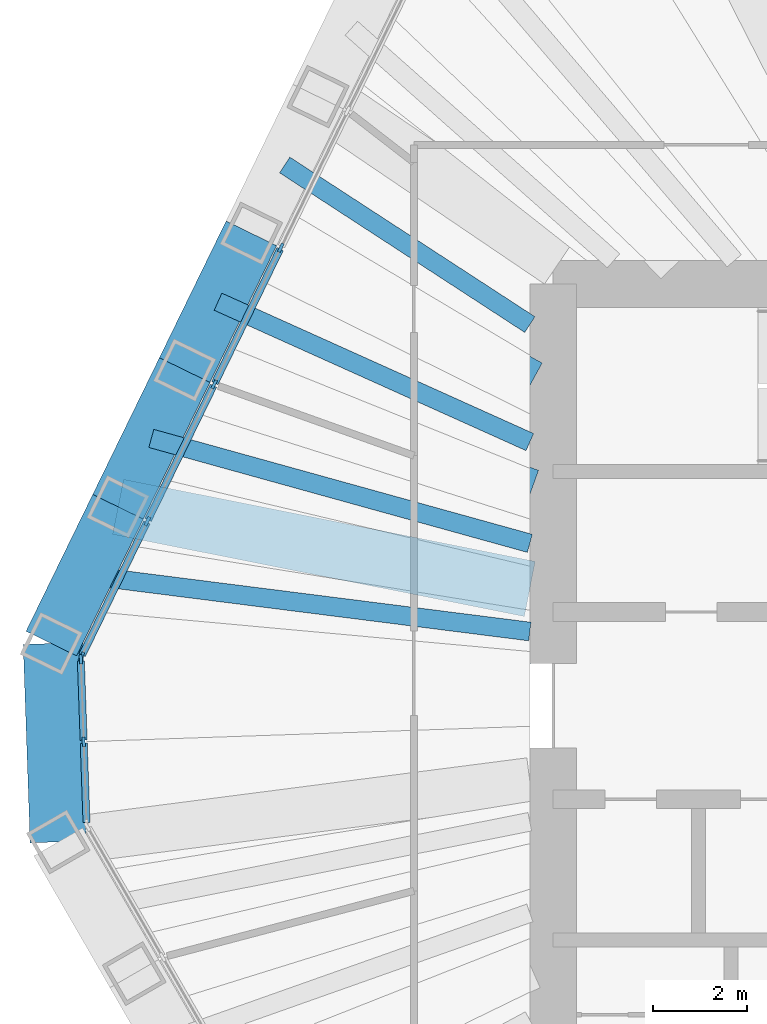
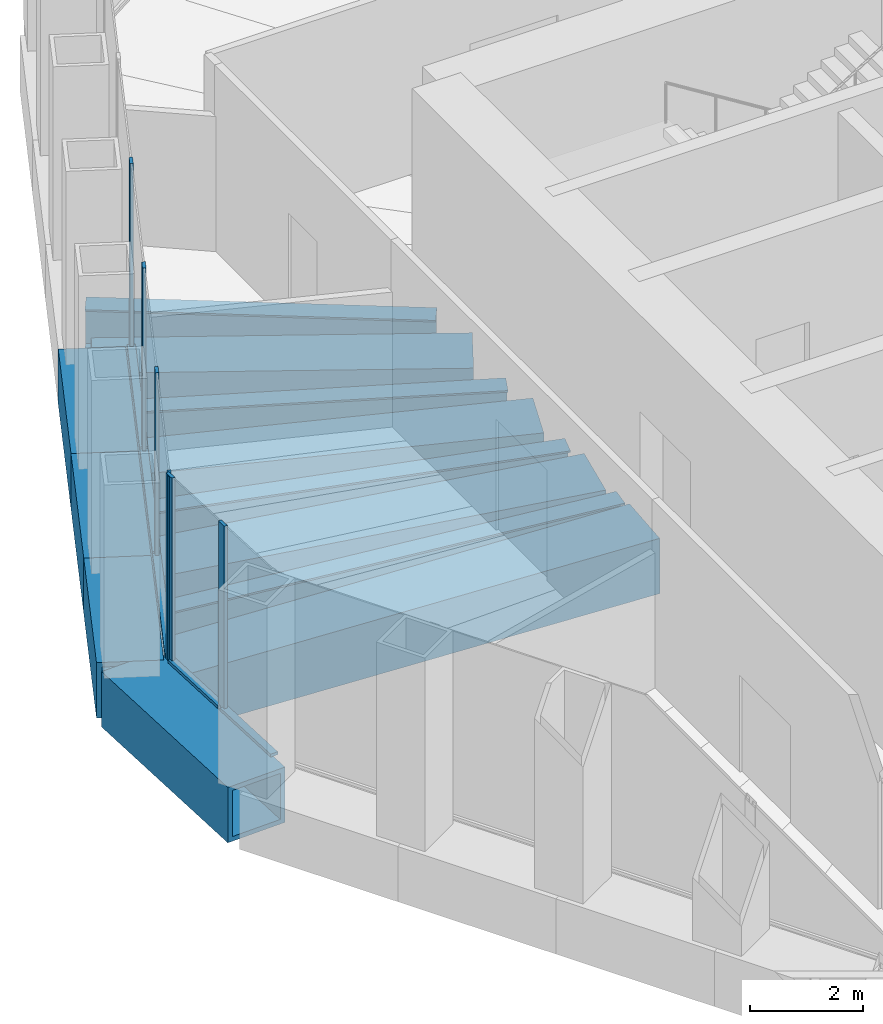
# One storey, part 4 of 19: 15 members, 8 beams, 2 elements without a shape of their own.
"""IFC4 building model written with IfcOpenShell, lengths in metres."""

import ifcopenshell
import ifcopenshell.guid

model = None  # the IFC model being written
_history = None  # IfcOwnerHistory: only IFC2X3 demands one
_inside = {}  # id of a spatial element -> (the spatial element, [elements in it])
_under = {}  # id of a project, library or spatial element -> (it, [spatial elements below it])
_declared = {}  # id of a project -> (the project, [libraries it declares])
_typed = {}  # id of a type object -> (the type object, [elements of that type])
_made_of = {}  # id of a material, layer set ... -> (it, [elements and type objects made of it])


def new_model(schema):
    """Start an empty IFC model of exactly this schema.

    Asked for "IFC4X3", IfcOpenShell would pick the latest addendum, in which some entities
    have other attributes; the version numbers below select the first issue.
    IFC2X3 requires an IfcOwnerHistory on every rooted entity: one is made here for all.
    """
    global model, _history
    if schema == "IFC4X3":
        model = ifcopenshell.file(schema_version=(4, 3, 0, 0))
    else:
        model = ifcopenshell.file(schema=schema)
    _inside.clear()
    _under.clear()
    _declared.clear()
    _typed.clear()
    _made_of.clear()
    _history = None
    if model.schema == "IFC2X3":
        org = make("IfcOrganization", Name="unknown")
        user = make(
            "IfcPersonAndOrganization",
            ThePerson=make("IfcPerson", FamilyName="unknown"),
            TheOrganization=org,
        )
        app = make(
            "IfcApplication",
            ApplicationDeveloper=org,
            Version="unknown",
            ApplicationFullName="unknown",
            ApplicationIdentifier="unknown",
        )
        _history = make(
            "IfcOwnerHistory",
            OwningUser=user,
            OwningApplication=app,
            ChangeAction="ADDED",
            CreationDate=0,
        )
    return model


def make(cls, **values):
    """One entity of the class cls with the attributes given. An attribute that is None is left unset."""
    return model.create_entity(
        cls, **{name: value for name, value in values.items() if value is not None}
    )


def rooted(cls, **values):
    """An entity with a GlobalId (a new one), such as an element, a storey or a relation."""
    return make(cls, GlobalId=ifcopenshell.guid.new(), OwnerHistory=_history, **values)


def si_unit(unit_type, name, prefix=None):
    """IfcSIUnit, for example si_unit("LENGTHUNIT", "METRE", prefix="MILLI")."""
    return make("IfcSIUnit", UnitType=unit_type, Prefix=prefix, Name=name)


def assignment(units):
    """IfcUnitAssignment: the units of a project."""
    return None if units is None else make("IfcUnitAssignment", Units=units)


def point(xyz):
    """IfcCartesianPoint."""
    return None if xyz is None else make("IfcCartesianPoint", Coordinates=xyz)


def direction(xyz):
    """IfcDirection."""
    return None if xyz is None else make("IfcDirection", DirectionRatios=xyz)


def frame(location, z_axis=None, x_axis=None):
    """IfcAxis2Placement3D, a coordinate frame: its origin and axes. An axis left out is left unset."""
    return make(
        "IfcAxis2Placement3D",
        Location=point(location),
        Axis=direction(z_axis),
        RefDirection=direction(x_axis),
    )


def frame_2d(location, x_axis=None):
    """IfcAxis2Placement2D, a coordinate frame in the plane: its origin and x axis."""
    return make(
        "IfcAxis2Placement2D", Location=point(location), RefDirection=direction(x_axis)
    )


def origin():
    """The frame at (0, 0, 0) with its axes left unset."""
    return frame((0.0, 0.0, 0.0))


def origin_2d():
    """The frame at (0, 0) in the plane with its x axis left unset."""
    return frame_2d((0.0, 0.0))


def place(relative_to, where):
    """IfcLocalPlacement: puts the frame where relative to a parent placement (None: the world)."""
    return make(
        "IfcLocalPlacement", PlacementRelTo=relative_to, RelativePlacement=where
    )


def context(
    kind, dimensions, precision=None, world=None, true_north=None, identifier=None
):
    """IfcGeometricRepresentationContext, for example the 3D "Model" context."""
    return make(
        "IfcGeometricRepresentationContext",
        ContextIdentifier=identifier,
        ContextType=kind,
        CoordinateSpaceDimension=dimensions,
        Precision=precision,
        WorldCoordinateSystem=world,
        TrueNorth=true_north,
    )


def subcontext(parent, identifier, kind, view, scale=None):
    """IfcGeometricRepresentationSubContext, for example "Body" below "Model"."""
    return make(
        "IfcGeometricRepresentationSubContext",
        ContextIdentifier=identifier,
        ContextType=kind,
        ParentContext=parent,
        TargetScale=scale,
        TargetView=view,
    )


def project(units=None, contexts=None):
    """IfcProject with its units and contexts."""
    return rooted(
        "IfcProject",
        Name="project",
        RepresentationContexts=contexts,
        UnitsInContext=assignment(units),
    )


def spatial(cls, under=None, at=None, **own):
    """A site, building, storey or space (cls), placed at a placement, below another one or the project."""
    s = rooted(cls, ObjectPlacement=at, **own)
    if under is not None:
        _under.setdefault(under.id(), (under, []))[1].append(s)
    return s


def profile(cls, at=None, kind="AREA", **sizes):
    """A parametric profile (cls). Its sizes go by their IFC names, for example OverallWidth=200.0."""
    return make(cls, ProfileType=kind, Position=at, **sizes)


def rectangle(**sizes):
    """IfcRectangleProfileDef."""
    return profile("IfcRectangleProfileDef", **sizes)


def hollow_rectangle(**sizes):
    """IfcRectangleHollowProfileDef."""
    return profile("IfcRectangleHollowProfileDef", **sizes)


def i_section(**sizes):
    """IfcIShapeProfileDef."""
    return profile("IfcIShapeProfileDef", **sizes)


def extrude(swept, where, along, depth):
    """IfcExtrudedAreaSolid: the profile swept, set in the frame where, extruded along a direction by depth."""
    return make(
        "IfcExtrudedAreaSolid",
        SweptArea=swept,
        Position=where,
        ExtrudedDirection=direction(along),
        Depth=depth,
    )


def shape(context_of_items, identifier, shape_type, items):
    """IfcShapeRepresentation: the items that make up one representation, for example the "Body"."""
    return make(
        "IfcShapeRepresentation",
        ContextOfItems=context_of_items,
        RepresentationIdentifier=identifier,
        RepresentationType=shape_type,
        Items=items,
    )


def material(Name=None, Category=None):
    """IfcMaterial."""
    return make("IfcMaterial", Name=Name, Category=Category)


def material_profile(
    of_material, cross_section, Name=None, Category=None, Priority=None
):
    """IfcMaterialProfile: a cross section and its material."""
    return make(
        "IfcMaterialProfile",
        Name=Name,
        Material=of_material,
        Profile=cross_section,
        Priority=Priority,
        Category=Category,
    )


def profile_set(profiles, Name=None, composite=None):
    """IfcMaterialProfileSet."""
    return make(
        "IfcMaterialProfileSet",
        Name=Name,
        MaterialProfiles=profiles,
        CompositeProfile=composite,
    )


def made_of(thing, what):
    """Note that an element or type object is made of a material, layer set ...; save() writes the relation."""
    if what is not None:
        _made_of.setdefault(what.id(), (what, []))[1].append(thing)
    return thing


def type_object(cls, material=None, **own):
    """A type object (cls), such as IfcWallType, which elements share."""
    return made_of(rooted(cls, **own), material)


def element(
    cls,
    number,
    at=None,
    inside=None,
    cuts=None,
    type_object=None,
    material=None,
    context=None,
    identifier="Body",
    shape_type=None,
    held_by="IfcProductDefinitionShape",
    body=None,
    shapes=None,
    **own,
):
    """One element of the class cls, such as IfcWall. Its Tag is "e" and its number.

    at: its placement. inside: the storey or other place that contains it. cuts: it is an
    opening in that element (IfcRelVoidsElement). A single representation is given by context,
    identifier, shape_type and body (its items); several are given by shapes. held_by: the class
    of the entity that holds the representations. save() writes the other relations.
    """
    e = rooted(cls, Tag="e%d" % number, ObjectPlacement=at, **own)
    if body is not None:
        shapes = [shape(context, identifier, shape_type, body)]
    if shapes is not None:
        e.Representation = make(held_by, Representations=shapes)
    if inside is not None:
        _inside.setdefault(inside.id(), (inside, []))[1].append(e)
    if cuts is not None:
        rooted(
            "IfcRelVoidsElement", RelatingBuildingElement=cuts, RelatedOpeningElement=e
        )
    if type_object is not None:
        _typed.setdefault(type_object.id(), (type_object, []))[1].append(e)
    return made_of(e, material)


def aggregate(whole, parts):
    """IfcRelAggregates: a whole, such as a stair, and the parts it consists of."""
    return rooted("IfcRelAggregates", RelatingObject=whole, RelatedObjects=parts)


def save(model, path):
    """Write the relations noted so far, then the file.

    IfcRelAggregates (storeys below a building ...), IfcRelContainedInSpatialStructure (elements
    in a storey), IfcRelDefinesByType, IfcRelAssociatesMaterial and IfcRelDeclares: one each for
    every whole, place, type object, material and project.
    """
    for whole, parts in _under.values():
        aggregate(whole, parts)
    for where, things in _inside.values():
        rooted(
            "IfcRelContainedInSpatialStructure",
            RelatedElements=things,
            RelatingStructure=where,
        )
    for kind, things in _typed.values():
        rooted("IfcRelDefinesByType", RelatedObjects=things, RelatingType=kind)
    for what, things in _made_of.values():
        rooted("IfcRelAssociatesMaterial", RelatedObjects=things, RelatingMaterial=what)
    for by, libraries in _declared.values():
        rooted("IfcRelDeclares", RelatingContext=by, RelatedDefinitions=libraries)
    model.write(path)


model = new_model("IFC4")

# Units and contexts
model_context = context("Model", 3, precision=1e-05, world=origin(), true_north=direction((0.0, 1.0)))
body_context = subcontext(model_context, "Body", "Model", "MODEL_VIEW")
ifc_project = project(units=[si_unit("LENGTHUNIT", "METRE"), si_unit("AREAUNIT", "SQUARE_METRE"), si_unit("VOLUMEUNIT", "CUBIC_METRE"), si_unit("PLANEANGLEUNIT", "RADIAN"), si_unit("MASSUNIT", "GRAM", prefix="KILO")], contexts=[model_context])

# Site, building, storey
site_placement = place(None, origin())
site = spatial("IfcSite", under=ifc_project, at=site_placement, CompositionType="ELEMENT")
building_placement = place(site_placement, origin())
building = spatial("IfcBuilding", under=site, at=building_placement, Name="Qingtian Harvest Tower", CompositionType="ELEMENT")
storey_placement = place(building_placement, frame((0.0, 0.0, 262.0)))
storey = spatial("IfcBuildingStorey", under=building, at=storey_placement, Name="L57", CompositionType="ELEMENT", Elevation=262.0)

# Members
ifc_material_1 = material(Name="Steel SM570MC", Category="steel")
ifc_material_profile_1 = material_profile(ifc_material_1, hollow_rectangle(XDim=1.199951171875, YDim=1.199951171875, WallThickness=0.10009765625, at=origin_2d()), Name="BOX1200x1200x100")
ifc_profile_set_1 = profile_set([ifc_material_profile_1], Name="Steel SM570MC")
member_type_1 = type_object("IfcMemberType", Name="Belt truss chord BC3 BOX1200x1200x100", PredefinedType="CHORD", material=ifc_profile_set_1)
member_1_placement = place(storey_placement, frame((-22.569580078125, -2.908447265625, -0.60009765625), z_axis=(-0.034851142499, 0.999392514414, 0.0), x_axis=(-0.999392514414, -0.034851142499, 0.0)))
element("IfcMember", 1, at=member_1_placement, inside=storey, type_object=member_type_1, Name="Belt chord BC3 SWC", PredefinedType="CHORD", context=body_context, shape_type="SweptSolid", body=[
    extrude(hollow_rectangle(XDim=1.199951171875, YDim=1.199951171875, WallThickness=0.10009765625, at=origin_2d()), origin(), (0.0, 0.0, 1.0), 4.23828125),
])
member_2_placement = place(storey_placement, frame((-22.71728515625, 1.3271484375, -0.60009765625), z_axis=(0.438382164311, 0.898788672611, 0.0), x_axis=(-0.898788672611, 0.438382164311, 0.0)))
element("IfcMember", 2, at=member_2_placement, inside=storey, type_object=member_type_1, Name="Belt chord BC3 NW0", PredefinedType="CHORD", context=body_context, shape_type="SweptSolid", body=[
    extrude(hollow_rectangle(XDim=1.199951171875, YDim=1.199951171875, WallThickness=0.10009765625, at=origin_2d()), origin(), (0.0, 0.0, 1.0), 3.247802734375),
])
member_3_placement = place(storey_placement, frame((-21.29345703125, 4.246337890625, -0.60009765625), z_axis=(0.438352548749, 0.898803116931, 0.0), x_axis=(-0.898803116931, 0.438352548749, 0.0)))
element("IfcMember", 3, at=member_3_placement, inside=storey, type_object=member_type_1, Name="Belt chord BC3 NW1", PredefinedType="CHORD", context=body_context, shape_type="SweptSolid", body=[
    extrude(hollow_rectangle(XDim=1.199951171875, YDim=1.199951171875, WallThickness=0.10009765625, at=origin_2d()), origin(), (0.0, 0.0, 1.0), 3.248046875),
])
member_4_placement = place(storey_placement, frame((-19.86962890625, 7.165771484375, -0.60009765625), z_axis=(0.438382164311, 0.898788672611, 0.0), x_axis=(-0.898788672611, 0.438382164311, 0.0)))
element("IfcMember", 4, at=member_4_placement, inside=storey, type_object=member_type_1, Name="Belt chord BC3 NW2", PredefinedType="CHORD", context=body_context, shape_type="SweptSolid", body=[
    extrude(hollow_rectangle(XDim=1.199951171875, YDim=1.199951171875, WallThickness=0.10009765625, at=origin_2d()), origin(), (0.0, 0.0, 1.0), 3.247802734375),
])

# Beams
ifc_material_2 = material(Name="Steel SN490B", Category="steel")
ifc_material_profile_2 = material_profile(ifc_material_2, i_section(OverallWidth=0.39990234375, OverallDepth=0.89990234375, WebThickness=0.01904296875, FlangeThickness=0.035888671875, at=origin_2d()), Name="H900x400x19x36")
ifc_profile_set_2 = profile_set([ifc_material_profile_2], Name="Steel SN490B")
beam_type_1 = type_object("IfcBeamType", Name="Floor joist J4 H900x400x19x36", PredefinedType="JOIST", material=ifc_profile_set_2)
beam_1_placement = place(storey_placement, frame((-22.00537109375, 2.78662109375, -0.6201171875), z_axis=(0.992078247837, -0.125621455844, 0.0), x_axis=(0.125621455844, 0.992078247837, 0.0)))
element("IfcBeam", 5, at=beam_1_placement, inside=storey, type_object=beam_type_1, Name="Floor joist J4 NW0", PredefinedType="JOIST", context=body_context, shape_type="SweptSolid", body=[
    extrude(i_section(OverallWidth=0.39990234375, OverallDepth=0.89990234375, WebThickness=0.01904296875, FlangeThickness=0.035888671875, at=origin_2d()), origin(), (0.0, 0.0, 1.0), 9.581298828125),
])
beam_2_placement = place(storey_placement, frame((-20.58154296875, 5.7060546875, -0.6201171875), z_axis=(0.963652918134, -0.267157356949, 0.0), x_axis=(0.267157356949, 0.963652918134, 0.0)))
element("IfcBeam", 6, at=beam_2_placement, inside=storey, type_object=beam_type_1, Name="Floor joist J4 NW1", PredefinedType="JOIST", context=body_context, shape_type="SweptSolid", body=[
    extrude(i_section(OverallWidth=0.39990234375, OverallDepth=0.89990234375, WebThickness=0.01904296875, FlangeThickness=0.035888671875, at=origin_2d()), origin(), (0.0, 0.0, 1.0), 8.386474609375),
])
beam_3_placement = place(storey_placement, frame((-19.15771484375, 8.625244140625, -0.6201171875), z_axis=(0.911852669976, -0.410517610168, 0.0), x_axis=(0.410517610168, 0.911852669976, 0.0)))
element("IfcBeam", 7, at=beam_3_placement, inside=storey, type_object=beam_type_1, Name="Floor joist J4 NW2", PredefinedType="JOIST", context=body_context, shape_type="SweptSolid", body=[
    extrude(i_section(OverallWidth=0.39990234375, OverallDepth=0.89990234375, WebThickness=0.01904296875, FlangeThickness=0.035888671875, at=origin_2d()), origin(), (0.0, 0.0, 1.0), 7.30126953125),
])
beam_4_placement = place(storey_placement, frame((-17.73388671875, 11.544677734375, -0.6201171875), z_axis=(0.838062930903, -0.545573573266, 0.0), x_axis=(0.545573573266, 0.838062930903, 0.0)))
element("IfcBeam", 8, at=beam_4_placement, inside=storey, type_object=beam_type_1, Name="Floor joist J4 NW3", PredefinedType="JOIST", context=body_context, shape_type="SweptSolid", body=[
    extrude(i_section(OverallWidth=0.39990234375, OverallDepth=0.89990234375, WebThickness=0.01904296875, FlangeThickness=0.035888671875, at=origin_2d()), origin(), (0.0, 0.0, 1.0), 6.2451171875),
])

# Curtain wall, members
ifc_material_3 = material(Name="Bronze-anodised aluminium curtain wall", Category="aluminium")
curtain_wall_type = type_object("IfcCurtainWallType", Name="Curtain wall CW3 sky lobby", PredefinedType="USERDEFINED", material=ifc_material_3)
curtain_wall_1_placement = place(storey_placement, origin())
curtain_wall_1 = element("IfcCurtainWall", 9, at=curtain_wall_1_placement, inside=storey, type_object=curtain_wall_type, Name="Curtain wall CW3 L57 SWC", ObjectType="RECESSED CURTAIN WALL", PredefinedType="USERDEFINED")
ifc_material_4 = material(Name="Bronze-anodised aluminium mullion", Category="aluminium")
ifc_material_profile_3 = material_profile(ifc_material_4, rectangle(XDim=0.06494140625, YDim=0.199951171875, at=origin_2d()), Name="AL 65x200")
ifc_profile_set_3 = profile_set([ifc_material_profile_3], Name="Bronze-anodised aluminium mullion")
member_type_2 = type_object("IfcMemberType", Name="Mullion CWM 65x200", PredefinedType="MULLION", material=ifc_profile_set_3)
member_5_placement = place(storey_placement, frame((-22.025634765625, -0.76904296875, 0.0), z_axis=(0.0, 0.0, 1.0), x_axis=(-0.999390827019, -0.034899496703, 0.0)))
member_5 = element("IfcMember", 10, at=member_5_placement, type_object=member_type_2, Name="CW3 mullion 2", PredefinedType="MULLION", context=body_context, shape_type="SweptSolid", body=[
    extrude(rectangle(XDim=0.06494140625, YDim=0.199951171875, at=origin_2d()), origin(), (0.0, 0.0, 1.0), 4.030029296875),
])
member_6_placement = place(storey_placement, frame((-22.087158203125, 0.98779296875, 0.0), z_axis=(0.0, 0.0, 1.0), x_axis=(-0.999390827019, -0.034899496703, 0.0)))
member_6 = element("IfcMember", 11, at=member_6_placement, type_object=member_type_2, Name="CW3 mullion 3", PredefinedType="MULLION", context=body_context, shape_type="SweptSolid", body=[
    extrude(rectangle(XDim=0.06494140625, YDim=0.199951171875, at=origin_2d()), origin(), (0.0, 0.0, 1.0), 4.030029296875),
])

curtain_wall_2_placement = place(storey_placement, origin())
curtain_wall_2 = element("IfcCurtainWall", 12, at=curtain_wall_2_placement, inside=storey, type_object=curtain_wall_type, Name="Curtain wall CW3 L57 NW0-5", ObjectType="RECESSED CURTAIN WALL", PredefinedType="USERDEFINED")
member_7_placement = place(storey_placement, frame((-22.073974609375, 1.04931640625, 0.0), z_axis=(0.0, 0.0, 1.0), x_axis=(-0.898794046299, 0.438371146789, 0.0)))
member_7 = element("IfcMember", 13, at=member_7_placement, type_object=member_type_2, Name="CW3 mullion 1", PredefinedType="MULLION", context=body_context, shape_type="SweptSolid", body=[
    extrude(rectangle(XDim=0.06494140625, YDim=0.199951171875, at=origin_2d()), origin(), (0.0, 0.0, 1.0), 4.030029296875),
])
member_8_placement = place(storey_placement, frame((-20.664306640625, 3.939453125, 0.0), z_axis=(0.0, 0.0, 1.0), x_axis=(-0.898794046299, 0.438371146789, 0.0)))
member_8 = element("IfcMember", 14, at=member_8_placement, type_object=member_type_2, Name="CW3 mullion 2", PredefinedType="MULLION", context=body_context, shape_type="SweptSolid", body=[
    extrude(rectangle(XDim=0.06494140625, YDim=0.199951171875, at=origin_2d()), origin(), (0.0, 0.0, 1.0), 4.030029296875),
])
member_9_placement = place(storey_placement, frame((-19.240478515625, 6.85888671875, 0.0), z_axis=(0.0, 0.0, 1.0), x_axis=(-0.898794046299, 0.438371146789, 0.0)))
member_9 = element("IfcMember", 15, at=member_9_placement, type_object=member_type_2, Name="CW3 mullion 3", PredefinedType="MULLION", context=body_context, shape_type="SweptSolid", body=[
    extrude(rectangle(XDim=0.06494140625, YDim=0.199951171875, at=origin_2d()), origin(), (0.0, 0.0, 1.0), 4.030029296875),
])
member_10_placement = place(storey_placement, frame((-17.816650390625, 9.778076171875, 0.0), z_axis=(0.0, 0.0, 1.0), x_axis=(-0.898794046299, 0.438371146789, 0.0)))
member_10 = element("IfcMember", 16, at=member_10_placement, type_object=member_type_2, Name="CW3 mullion 4", PredefinedType="MULLION", context=body_context, shape_type="SweptSolid", body=[
    extrude(rectangle(XDim=0.06494140625, YDim=0.199951171875, at=origin_2d()), origin(), (0.0, 0.0, 1.0), 4.030029296875),
])

# Beams
ifc_material_5 = material(Name="Steel SM570MC", Category="steel")
ifc_material_profile_4 = material_profile(ifc_material_5, hollow_rectangle(XDim=1.199951171875, YDim=1.199951171875, WallThickness=0.10009765625, at=origin_2d()), Name="BOX1200x1200x100")
ifc_profile_set_4 = profile_set([ifc_material_profile_4], Name="Steel SM570MC")
beam_type_2 = type_object("IfcBeamType", Name="Outrigger chord beam OC2 BOX1200x1200x100", PredefinedType="BEAM", material=ifc_profile_set_4)
beam_5_placement = place(storey_placement, frame((-22.71728515625, 1.3271484375, -0.77001953125), z_axis=(0.998297736533, -0.058323487833, 0.0), x_axis=(0.058323487833, 0.998297736533, 0.0)))
element("IfcBeam", 17, at=beam_5_placement, inside=storey, type_object=beam_type_2, Name="Floor beam OC2 NW0", PredefinedType="BEAM", context=body_context, shape_type="SweptSolid", body=[
    extrude(hollow_rectangle(XDim=1.199951171875, YDim=1.199951171875, WallThickness=0.10009765625, at=origin_2d()), origin(), (0.0, 0.0, 1.0), 10.234619140625),
])
beam_6_placement = place(storey_placement, frame((-21.29345703125, 4.246337890625, -0.77001953125), z_axis=(0.980688391079, -0.195576786971, 0.0), x_axis=(0.195576786971, 0.980688391079, 0.0)))
element("IfcBeam", 18, at=beam_6_placement, inside=storey, type_object=beam_type_2, Name="Floor beam OC2 NW1", PredefinedType="BEAM", context=body_context, shape_type="SweptSolid", body=[
    extrude(hollow_rectangle(XDim=1.199951171875, YDim=1.199951171875, WallThickness=0.10009765625, at=origin_2d()), origin(), (0.0, 0.0, 1.0), 8.966552734375),
])
ifc_material_6 = material(Name="Steel SM570MC", Category="steel")
ifc_material_profile_5 = material_profile(ifc_material_6, hollow_rectangle(XDim=1.10009765625, YDim=1.10009765625, WallThickness=0.10009765625, at=origin_2d()), Name="BOX1100x1100x100")
ifc_profile_set_5 = profile_set([ifc_material_profile_5], Name="Steel SM570MC")
beam_type_3 = type_object("IfcBeamType", Name="Transfer floor beam FB9 BOX1100x1100x100", PredefinedType="BEAM", material=ifc_profile_set_5)
beam_7_placement = place(storey_placement, frame((-19.86962890625, 7.165771484375, -0.719970703125), z_axis=(0.940688220757, -0.339272267256, 0.0), x_axis=(0.339272267256, 0.940688220757, 0.0)))
element("IfcBeam", 19, at=beam_7_placement, inside=storey, type_object=beam_type_3, Name="Floor beam FB9 NW2", PredefinedType="BEAM", context=body_context, shape_type="SweptSolid", body=[
    extrude(hollow_rectangle(XDim=1.10009765625, YDim=1.10009765625, WallThickness=0.10009765625, at=origin_2d()), origin(), (0.0, 0.0, 1.0), 7.834228515625),
])
beam_8_placement = place(storey_placement, frame((-18.44580078125, 10.0849609375, -0.719970703125), z_axis=(0.877425639682, -0.479712671116, 0.0), x_axis=(0.479712671116, 0.877425639682, 0.0)))
element("IfcBeam", 20, at=beam_8_placement, inside=storey, type_object=beam_type_3, Name="Floor beam FB9 NW3", PredefinedType="BEAM", context=body_context, shape_type="SweptSolid", body=[
    extrude(hollow_rectangle(XDim=1.10009765625, YDim=1.10009765625, WallThickness=0.10009765625, at=origin_2d()), origin(), (0.0, 0.0, 1.0), 6.7763671875),
])

# Member
ifc_material_7 = material(Name="Bronze-anodised aluminium transom", Category="aluminium")
ifc_material_profile_6 = material_profile(ifc_material_7, rectangle(XDim=0.14990234375, YDim=0.06494140625, at=origin_2d()), Name="AL 65x150")
ifc_profile_set_6 = profile_set([ifc_material_profile_6], Name="Bronze-anodised aluminium transom")
member_type_3 = type_object("IfcMemberType", Name="Transom CWT 65x150", PredefinedType="USERDEFINED", material=ifc_profile_set_6)
member_11_placement = place(storey_placement, frame((-21.965576171875, -2.49365234375, 0.032470703125), z_axis=(-0.034899362377, 0.99939083171, 0.0), x_axis=(-0.99939083171, -0.034899362377, 0.0)))
member_11 = element("IfcMember", 21, at=member_11_placement, type_object=member_type_3, Name="CW3 transom 1.1", ObjectType="TRANSOM", PredefinedType="USERDEFINED", context=body_context, shape_type="SweptSolid", body=[
    extrude(rectangle(XDim=0.14990234375, YDim=0.06494140625, at=origin_2d()), origin(), (0.0, 0.0, 1.0), 1.69287109375),
])

member_12_placement = place(storey_placement, frame((-22.02685546875, -0.736572265625, 0.032470703125), z_axis=(-0.034899362377, 0.99939083171, 0.0), x_axis=(-0.99939083171, -0.034899362377, 0.0)))
member_12 = element("IfcMember", 22, at=member_12_placement, type_object=member_type_3, Name="CW3 transom 2.1", ObjectType="TRANSOM", PredefinedType="USERDEFINED", context=body_context, shape_type="SweptSolid", body=[
    extrude(rectangle(XDim=0.14990234375, YDim=0.06494140625, at=origin_2d()), origin(), (0.0, 0.0, 1.0), 1.69287109375),
])

aggregate(curtain_wall_1, [member_5, member_6, member_11, member_12])

member_13_placement = place(storey_placement, frame((-22.059814453125, 1.07861328125, 0.032470703125), z_axis=(0.438357982629, 0.89880046677, 0.0), x_axis=(-0.89880046677, 0.438357982629, 0.0)))
member_13 = element("IfcMember", 23, at=member_13_placement, type_object=member_type_3, Name="CW3 transom 1.1", ObjectType="TRANSOM", PredefinedType="USERDEFINED", context=body_context, shape_type="SweptSolid", body=[
    extrude(rectangle(XDim=0.14990234375, YDim=0.06494140625, at=origin_2d()), origin(), (0.0, 0.0, 1.0), 3.150634765625),
])

member_14_placement = place(storey_placement, frame((-20.650146484375, 3.96875, 0.032470703125), z_axis=(0.438355626738, 0.898801615768, 0.0), x_axis=(-0.898801615768, 0.438355626738, 0.0)))
member_14 = element("IfcMember", 24, at=member_14_placement, type_object=member_type_3, Name="CW3 transom 2.1", ObjectType="TRANSOM", PredefinedType="USERDEFINED", context=body_context, shape_type="SweptSolid", body=[
    extrude(rectangle(XDim=0.14990234375, YDim=0.06494140625, at=origin_2d()), origin(), (0.0, 0.0, 1.0), 3.182861328125),
])

member_15_placement = place(storey_placement, frame((-19.226318359375, 6.887939453125, 0.032470703125), z_axis=(0.438325408134, 0.898816353091, 0.0), x_axis=(-0.898816353091, 0.438325408134, 0.0)))
member_15 = element("IfcMember", 25, at=member_15_placement, type_object=member_type_3, Name="CW3 transom 3.1", ObjectType="TRANSOM", PredefinedType="USERDEFINED", context=body_context, shape_type="SweptSolid", body=[
    extrude(rectangle(XDim=0.14990234375, YDim=0.06494140625, at=origin_2d()), origin(), (0.0, 0.0, 1.0), 3.18310546875),
])

aggregate(curtain_wall_2, [member_7, member_8, member_9, member_10, member_13, member_14, member_15])

save(model, "model.ifc")
